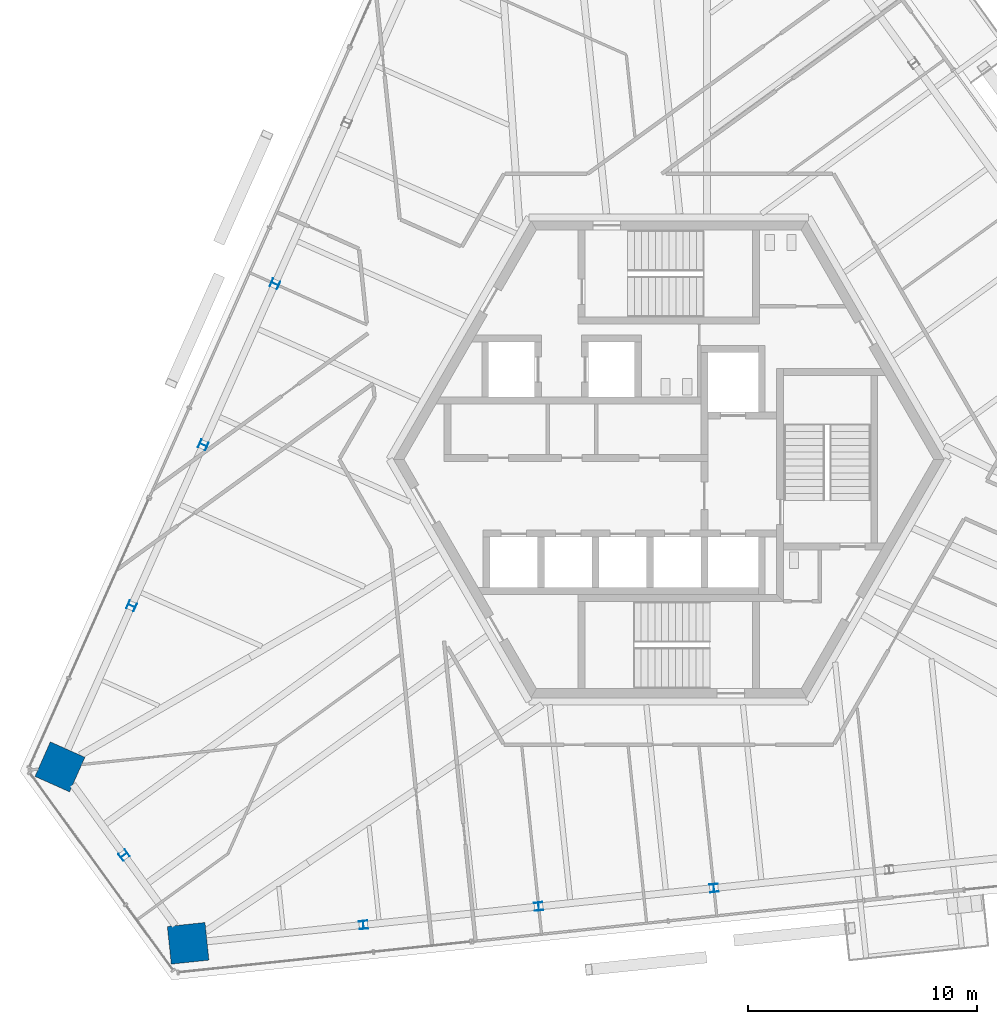
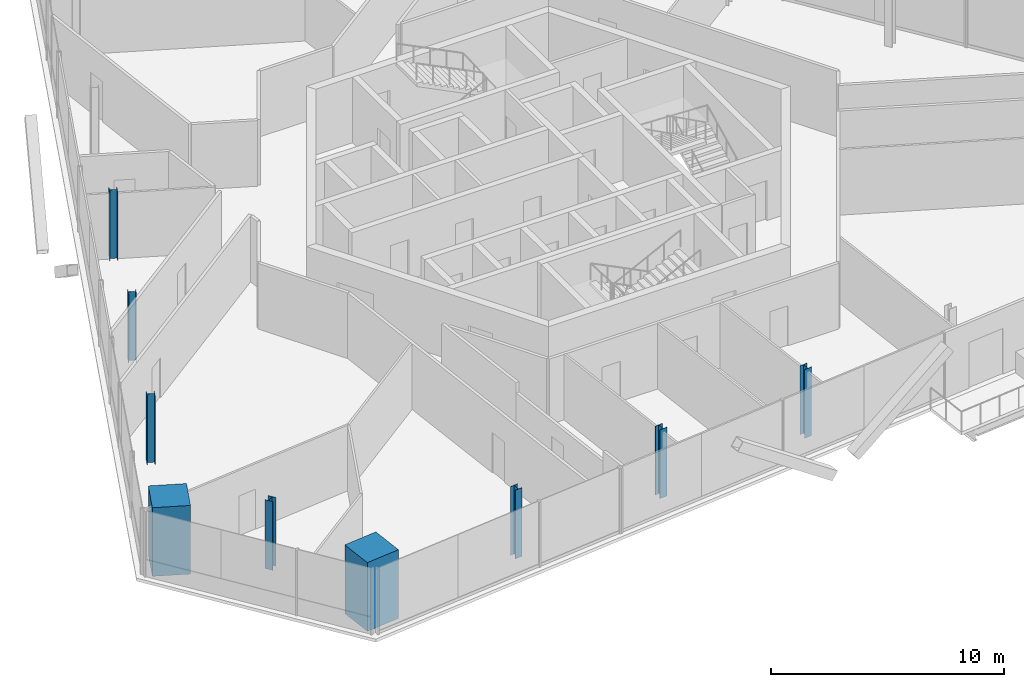
# One storey, part 1 of 18: 9 columns.
"""IFC4 building model written with IfcOpenShell, lengths in metres."""

import ifcopenshell
import ifcopenshell.guid

model = None  # the IFC model being written
_history = None  # IfcOwnerHistory: only IFC2X3 demands one
_inside = {}  # id of a spatial element -> (the spatial element, [elements in it])
_under = {}  # id of a project, library or spatial element -> (it, [spatial elements below it])
_declared = {}  # id of a project -> (the project, [libraries it declares])
_typed = {}  # id of a type object -> (the type object, [elements of that type])
_made_of = {}  # id of a material, layer set ... -> (it, [elements and type objects made of it])


def new_model(schema):
    """Start an empty IFC model of exactly this schema.

    Asked for "IFC4X3", IfcOpenShell would pick the latest addendum, in which some entities
    have other attributes; the version numbers below select the first issue.
    IFC2X3 requires an IfcOwnerHistory on every rooted entity: one is made here for all.
    """
    global model, _history
    if schema == "IFC4X3":
        model = ifcopenshell.file(schema_version=(4, 3, 0, 0))
    else:
        model = ifcopenshell.file(schema=schema)
    _inside.clear()
    _under.clear()
    _declared.clear()
    _typed.clear()
    _made_of.clear()
    _history = None
    if model.schema == "IFC2X3":
        org = make("IfcOrganization", Name="unknown")
        user = make(
            "IfcPersonAndOrganization",
            ThePerson=make("IfcPerson", FamilyName="unknown"),
            TheOrganization=org,
        )
        app = make(
            "IfcApplication",
            ApplicationDeveloper=org,
            Version="unknown",
            ApplicationFullName="unknown",
            ApplicationIdentifier="unknown",
        )
        _history = make(
            "IfcOwnerHistory",
            OwningUser=user,
            OwningApplication=app,
            ChangeAction="ADDED",
            CreationDate=0,
        )
    return model


def make(cls, **values):
    """One entity of the class cls with the attributes given. An attribute that is None is left unset."""
    return model.create_entity(
        cls, **{name: value for name, value in values.items() if value is not None}
    )


def rooted(cls, **values):
    """An entity with a GlobalId (a new one), such as an element, a storey or a relation."""
    return make(cls, GlobalId=ifcopenshell.guid.new(), OwnerHistory=_history, **values)


def si_unit(unit_type, name, prefix=None):
    """IfcSIUnit, for example si_unit("LENGTHUNIT", "METRE", prefix="MILLI")."""
    return make("IfcSIUnit", UnitType=unit_type, Prefix=prefix, Name=name)


def assignment(units):
    """IfcUnitAssignment: the units of a project."""
    return None if units is None else make("IfcUnitAssignment", Units=units)


def point(xyz):
    """IfcCartesianPoint."""
    return None if xyz is None else make("IfcCartesianPoint", Coordinates=xyz)


def direction(xyz):
    """IfcDirection."""
    return None if xyz is None else make("IfcDirection", DirectionRatios=xyz)


def frame(location, z_axis=None, x_axis=None):
    """IfcAxis2Placement3D, a coordinate frame: its origin and axes. An axis left out is left unset."""
    return make(
        "IfcAxis2Placement3D",
        Location=point(location),
        Axis=direction(z_axis),
        RefDirection=direction(x_axis),
    )


def frame_2d(location, x_axis=None):
    """IfcAxis2Placement2D, a coordinate frame in the plane: its origin and x axis."""
    return make(
        "IfcAxis2Placement2D", Location=point(location), RefDirection=direction(x_axis)
    )


def origin():
    """The frame at (0, 0, 0) with its axes left unset."""
    return frame((0.0, 0.0, 0.0))


def origin_2d():
    """The frame at (0, 0) in the plane with its x axis left unset."""
    return frame_2d((0.0, 0.0))


def place(relative_to, where):
    """IfcLocalPlacement: puts the frame where relative to a parent placement (None: the world)."""
    return make(
        "IfcLocalPlacement", PlacementRelTo=relative_to, RelativePlacement=where
    )


def context(
    kind, dimensions, precision=None, world=None, true_north=None, identifier=None
):
    """IfcGeometricRepresentationContext, for example the 3D "Model" context."""
    return make(
        "IfcGeometricRepresentationContext",
        ContextIdentifier=identifier,
        ContextType=kind,
        CoordinateSpaceDimension=dimensions,
        Precision=precision,
        WorldCoordinateSystem=world,
        TrueNorth=true_north,
    )


def subcontext(parent, identifier, kind, view, scale=None):
    """IfcGeometricRepresentationSubContext, for example "Body" below "Model"."""
    return make(
        "IfcGeometricRepresentationSubContext",
        ContextIdentifier=identifier,
        ContextType=kind,
        ParentContext=parent,
        TargetScale=scale,
        TargetView=view,
    )


def project(units=None, contexts=None):
    """IfcProject with its units and contexts."""
    return rooted(
        "IfcProject",
        Name="project",
        RepresentationContexts=contexts,
        UnitsInContext=assignment(units),
    )


def spatial(cls, under=None, at=None, **own):
    """A site, building, storey or space (cls), placed at a placement, below another one or the project."""
    s = rooted(cls, ObjectPlacement=at, **own)
    if under is not None:
        _under.setdefault(under.id(), (under, []))[1].append(s)
    return s


def profile(cls, at=None, kind="AREA", **sizes):
    """A parametric profile (cls). Its sizes go by their IFC names, for example OverallWidth=200.0."""
    return make(cls, ProfileType=kind, Position=at, **sizes)


def rectangle(**sizes):
    """IfcRectangleProfileDef."""
    return profile("IfcRectangleProfileDef", **sizes)


def i_section(**sizes):
    """IfcIShapeProfileDef."""
    return profile("IfcIShapeProfileDef", **sizes)


def extrude(swept, where, along, depth):
    """IfcExtrudedAreaSolid: the profile swept, set in the frame where, extruded along a direction by depth."""
    return make(
        "IfcExtrudedAreaSolid",
        SweptArea=swept,
        Position=where,
        ExtrudedDirection=direction(along),
        Depth=depth,
    )


def shape(context_of_items, identifier, shape_type, items):
    """IfcShapeRepresentation: the items that make up one representation, for example the "Body"."""
    return make(
        "IfcShapeRepresentation",
        ContextOfItems=context_of_items,
        RepresentationIdentifier=identifier,
        RepresentationType=shape_type,
        Items=items,
    )


def source(mapping_origin, context_of_items, identifier, shape_type, items):
    """IfcRepresentationMap: a shape defined once, which mapped items show again and again."""
    return make(
        "IfcRepresentationMap",
        MappingOrigin=mapping_origin,
        MappedRepresentation=shape(context_of_items, identifier, shape_type, items),
    )


def transform(
    local_origin,
    x_axis=None,
    y_axis=None,
    z_axis=None,
    scale=None,
    scale2=None,
    scale3=None,
    uniform=True,
):
    """IfcCartesianTransformationOperator3D, or its non-uniform kind. x_axis, y_axis, z_axis: its Axis1, 2, 3."""
    if uniform:
        return make(
            "IfcCartesianTransformationOperator3D",
            Axis1=direction(x_axis),
            Axis2=direction(y_axis),
            LocalOrigin=point(local_origin),
            Scale=scale,
            Axis3=direction(z_axis),
        )
    return make(
        "IfcCartesianTransformationOperator3DnonUniform",
        Axis1=direction(x_axis),
        Axis2=direction(y_axis),
        LocalOrigin=point(local_origin),
        Scale=scale,
        Axis3=direction(z_axis),
        Scale2=scale2,
        Scale3=scale3,
    )


def mapped(mapping_source, mapping_target):
    """IfcMappedItem: shows the shape of a source again, moved by a transform."""
    return make(
        "IfcMappedItem", MappingSource=mapping_source, MappingTarget=mapping_target
    )


def material(Name=None, Category=None):
    """IfcMaterial."""
    return make("IfcMaterial", Name=Name, Category=Category)


def material_profile(
    of_material, cross_section, Name=None, Category=None, Priority=None
):
    """IfcMaterialProfile: a cross section and its material."""
    return make(
        "IfcMaterialProfile",
        Name=Name,
        Material=of_material,
        Profile=cross_section,
        Priority=Priority,
        Category=Category,
    )


def profile_set(profiles, Name=None, composite=None):
    """IfcMaterialProfileSet."""
    return make(
        "IfcMaterialProfileSet",
        Name=Name,
        MaterialProfiles=profiles,
        CompositeProfile=composite,
    )


def made_of(thing, what):
    """Note that an element or type object is made of a material, layer set ...; save() writes the relation."""
    if what is not None:
        _made_of.setdefault(what.id(), (what, []))[1].append(thing)
    return thing


def type_object(cls, material=None, **own):
    """A type object (cls), such as IfcWallType, which elements share."""
    return made_of(rooted(cls, **own), material)


def element(
    cls,
    number,
    at=None,
    inside=None,
    cuts=None,
    type_object=None,
    material=None,
    context=None,
    identifier="Body",
    shape_type=None,
    held_by="IfcProductDefinitionShape",
    body=None,
    shapes=None,
    **own,
):
    """One element of the class cls, such as IfcWall. Its Tag is "e" and its number.

    at: its placement. inside: the storey or other place that contains it. cuts: it is an
    opening in that element (IfcRelVoidsElement). A single representation is given by context,
    identifier, shape_type and body (its items); several are given by shapes. held_by: the class
    of the entity that holds the representations. save() writes the other relations.
    """
    e = rooted(cls, Tag="e%d" % number, ObjectPlacement=at, **own)
    if body is not None:
        shapes = [shape(context, identifier, shape_type, body)]
    if shapes is not None:
        e.Representation = make(held_by, Representations=shapes)
    if inside is not None:
        _inside.setdefault(inside.id(), (inside, []))[1].append(e)
    if cuts is not None:
        rooted(
            "IfcRelVoidsElement", RelatingBuildingElement=cuts, RelatedOpeningElement=e
        )
    if type_object is not None:
        _typed.setdefault(type_object.id(), (type_object, []))[1].append(e)
    return made_of(e, material)


def aggregate(whole, parts):
    """IfcRelAggregates: a whole, such as a stair, and the parts it consists of."""
    return rooted("IfcRelAggregates", RelatingObject=whole, RelatedObjects=parts)


def save(model, path):
    """Write the relations noted so far, then the file.

    IfcRelAggregates (storeys below a building ...), IfcRelContainedInSpatialStructure (elements
    in a storey), IfcRelDefinesByType, IfcRelAssociatesMaterial and IfcRelDeclares: one each for
    every whole, place, type object, material and project.
    """
    for whole, parts in _under.values():
        aggregate(whole, parts)
    for where, things in _inside.values():
        rooted(
            "IfcRelContainedInSpatialStructure",
            RelatedElements=things,
            RelatingStructure=where,
        )
    for kind, things in _typed.values():
        rooted("IfcRelDefinesByType", RelatedObjects=things, RelatingType=kind)
    for what, things in _made_of.values():
        rooted("IfcRelAssociatesMaterial", RelatedObjects=things, RelatingMaterial=what)
    for by, libraries in _declared.values():
        rooted("IfcRelDeclares", RelatingContext=by, RelatedDefinitions=libraries)
    model.write(path)


model = new_model("IFC4")

# Units and contexts
model_context = context("Model", 3, precision=1e-05, world=origin(), true_north=direction((0.0, 1.0)))
body_context = subcontext(model_context, "Body", "Model", "MODEL_VIEW")
ifc_project = project(units=[si_unit("LENGTHUNIT", "METRE"), si_unit("AREAUNIT", "SQUARE_METRE"), si_unit("VOLUMEUNIT", "CUBIC_METRE"), si_unit("PLANEANGLEUNIT", "RADIAN"), si_unit("MASSUNIT", "GRAM", prefix="KILO")], contexts=[model_context])

# Site, building, storey
site_placement = place(None, origin())
site = spatial("IfcSite", under=ifc_project, at=site_placement, CompositionType="ELEMENT")
building_placement = place(site_placement, origin())
building = spatial("IfcBuilding", under=site, at=building_placement, Name="Triune Harvest Tower", CompositionType="ELEMENT")
storey_placement = place(building_placement, frame((0.0, 0.0, 237.699951171875)))
storey = spatial("IfcBuildingStorey", under=building, at=storey_placement, Name="L62", CompositionType="ELEMENT", Elevation=237.699951171875)

# Columns
ifc_material_1 = material(Name="Steel ASTM A992 Gr 50", Category="steel")
ifc_material_profile_1 = material_profile(ifc_material_1, i_section(OverallWidth=0.368408203125, OverallDepth=0.355712890625, WebThickness=0.01123046875, FlangeThickness=0.01806640625, at=origin_2d()), Name="W14x90")
ifc_profile_set_1 = profile_set([ifc_material_profile_1], Name="Steel ASTM A992 Gr 50")
column_type_1 = type_object("IfcColumnType", Name="PC-6 Perimeter column W14x90", PredefinedType="COLUMN", material=ifc_profile_set_1)
shared_shape_1 = source(origin(), body_context, "Body", "SweptSolid", [
    extrude(i_section(OverallWidth=0.368408203125, OverallDepth=0.355712890625, WebThickness=0.01123046875, FlangeThickness=0.01806640625, at=origin_2d()), origin(), (0.0, 0.0, 1.0), 3.60009765625),
])
for number, where, z_axis, x_axis, name in (
    (1, (-17.163818359375, 7.641845703125, 0.0), (0.0, 0.0, 1.0), (-0.406738237513, -0.913544747752, 0.0), "col/L62/P11"),
    (2, (-20.287109375, 0.626220703125, 0.0), (0.0, 0.0, 1.0), (-0.406738237513, -0.913544747752, 0.0), "col/L62/P12"),
    (3, (-23.41064453125, -6.389404296875, 0.0), (0.0, 0.0, 1.0), (-0.406738237513, -0.913544747752, 0.0), "col/L62/P13"),
    (4, (-23.7412109375, -17.2490234375, 1.199951171875), (0.0, 0.0, 1.0), (0.587785252292, -0.809016994375, 0.0), "col/L62/P15"),
    (5, (-13.310791015625, -20.29052734375, 0.0), (0.0, 0.0, 1.0), (0.99452171293, 0.104530199036, 0.0), "col/L62/P17"),
    (6, (-5.673583984375, -19.48779296875, 0.0), (0.0, 0.0, 1.0), (0.99452171293, 0.104530199036, 0.0), "col/L62/P18"),
    (7, (1.9638671875, -18.68505859375, 0.0), (0.0, 0.0, 1.0), (0.99452171293, 0.104530199036, 0.0), "col/L62/P19"),
):
    element("IfcColumn", number, at=place(storey_placement, frame(where, z_axis=z_axis, x_axis=x_axis)), inside=storey, type_object=column_type_1, Name=name, PredefinedType="COLUMN", context=body_context, shape_type="MappedRepresentation", body=[
        mapped(shared_shape_1, transform((0.0, 0.0, 0.0), scale=1.0)),
    ])
ifc_material_2 = material(Name="Concrete 70 MPa", Category="concrete")
ifc_material_profile_2 = material_profile(ifc_material_2, rectangle(XDim=1.64990234375, YDim=1.64990234375, at=origin_2d()), Name="Composite 1650x1650")
ifc_profile_set_2 = profile_set([ifc_material_profile_2], Name="Concrete 70 MPa")
column_type_2 = type_object("IfcColumnType", Name="MC-6 Mega column Composite 1650x1650", PredefinedType="COLUMN", material=ifc_profile_set_2)
shared_shape_2 = source(origin(), body_context, "Body", "SweptSolid", [
    extrude(rectangle(XDim=1.64990234375, YDim=1.64990234375, at=origin_2d()), origin(), (0.0, 0.0, 1.0), 3.60009765625),
])
for number, where, z_axis, x_axis, name in (
    (8, (-26.5341796875, -13.40478515625, 0.0), (0.0, 0.0, 1.0), (-0.406738237513, -0.913544747752, 0.0), "col/L62/M14"),
    (9, (-20.9482421875, -21.09326171875, 0.0), (0.0, 0.0, 1.0), (0.99452171293, 0.104530199036, 0.0), "col/L62/M16"),
):
    element("IfcColumn", number, at=place(storey_placement, frame(where, z_axis=z_axis, x_axis=x_axis)), inside=storey, type_object=column_type_2, Name=name, PredefinedType="COLUMN", context=body_context, shape_type="MappedRepresentation", body=[
        mapped(shared_shape_2, transform((0.0, 0.0, 0.0), scale=1.0)),
    ])

save(model, "model.ifc")
